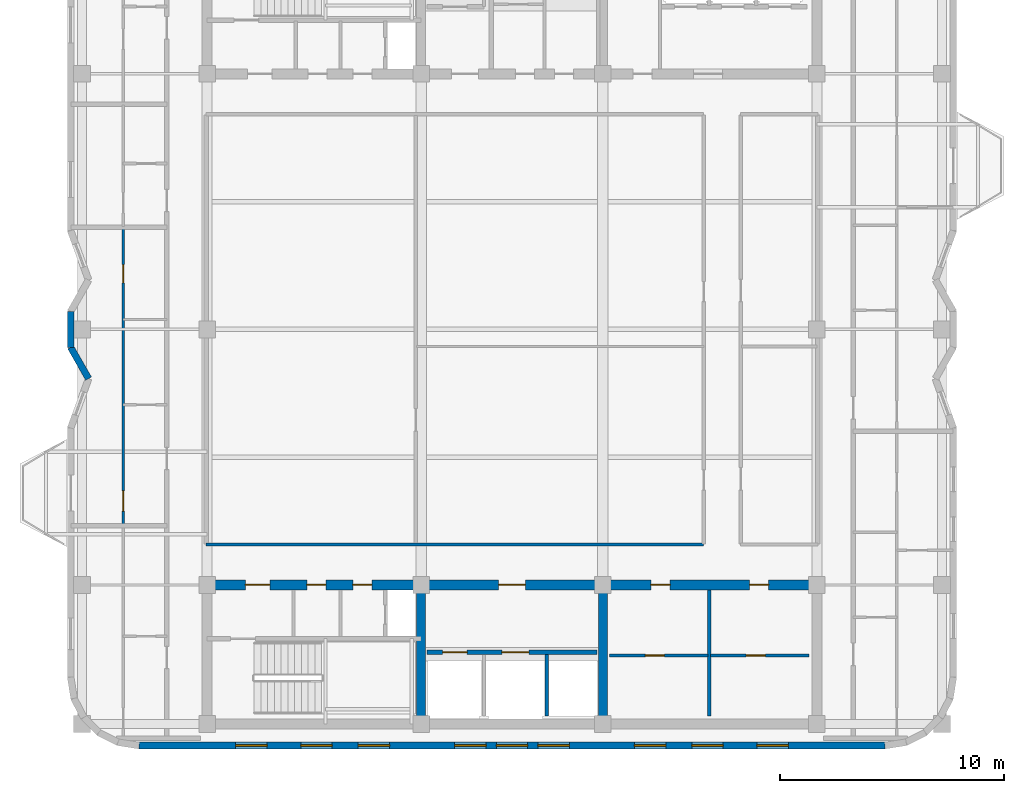
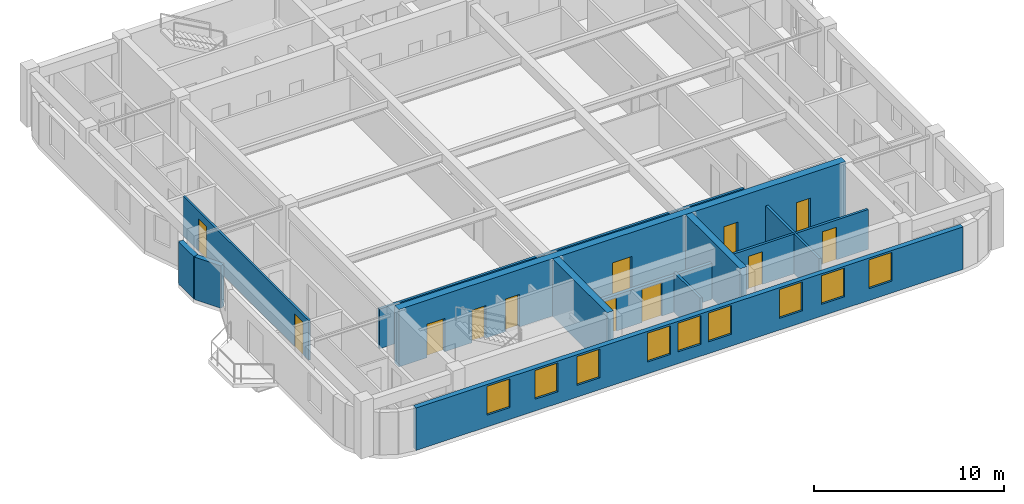
# One storey, part 3 of 9: 13 walls, 12 doors, 9 windows, 21 openings.
"""IFC4 building model written with IfcOpenShell, lengths in metres."""

from ifc_helpers import new_model, si_unit, direction, frame, frame_2d, origin, place, context, subcontext, project, spatial, rectangle, extrude, material, layer, layer_set, type_object, element, fill, save


model = new_model("IFC4")

# Units and contexts
model_context = context("Model", 3, precision=1e-05, world=origin(), true_north=direction((0.0, 1.0)))
body_context = subcontext(model_context, "Body", "Model", "MODEL_VIEW")
ifc_project = project(units=[si_unit("LENGTHUNIT", "METRE"), si_unit("AREAUNIT", "SQUARE_METRE"), si_unit("VOLUMEUNIT", "CUBIC_METRE"), si_unit("PLANEANGLEUNIT", "RADIAN"), si_unit("MASSUNIT", "GRAM", prefix="KILO")], contexts=[model_context])

# Site, building, storey
site_placement = place(None, origin())
site = spatial("IfcSite", under=ifc_project, at=site_placement, CompositionType="ELEMENT")
building_placement = place(site_placement, origin())
building = spatial("IfcBuilding", under=site, at=building_placement, Name="Svetorya Sky Lyceum", CompositionType="ELEMENT")
storey_placement = place(building_placement, frame((0.0, 0.0, 267.60009765625)))
storey = spatial("IfcBuildingStorey", under=building, at=storey_placement, Name="L67", CompositionType="ELEMENT", Elevation=267.60009765625)

# Walls
ifc_material_1 = material(Name="Concrete C40/50", Category="concrete")
ifc_layer_1 = layer(ifc_material_1, 0.39990234375)
ifc_layer_set_1 = layer_set([ifc_layer_1], Name="Concrete C40/50")
wall_type_1 = type_object("IfcWallType", Name="WL-CORE-400", PredefinedType="SHEAR", material=ifc_layer_set_1)
for number, where, z_axis, x_axis, name in (
    (1, (35.14990234375, 10.824951171875, 0.0), (0.0, 0.0, 1.0), (0.0, 1.0, 0.0), "L67 SC Internal Shear Web WEB1"),
    (2, (43.25, 10.824951171875, 0.0), (0.0, 0.0, 1.0), (0.0, 1.0, 0.0), "L67 SC Internal Shear Web WEB2"),
):
    element("IfcWall", number, at=place(storey_placement, frame(where, z_axis=z_axis, x_axis=x_axis)), inside=storey, type_object=wall_type_1, Name=name, PredefinedType="SHEAR", context=body_context, shape_type="SweptSolid", body=[
        extrude(rectangle(XDim=5.75, YDim=0.39990234375, at=frame_2d((2.875, 0.0))), origin(), (0.0, 0.0, 1.0), 3.699951171875),
    ])

# Wall, openings, doors
ifc_material_2 = material(Name="Concrete C50/60", Category="concrete")
ifc_layer_2 = layer(ifc_material_2, 0.449951171875)
ifc_layer_set_2 = layer_set([ifc_layer_2], Name="Concrete C50/60")
wall_type_2 = type_object("IfcWallType", Name="WL-CORE-450", PredefinedType="SHEAR", material=ifc_layer_set_2)
wall_1_placement = place(storey_placement, frame((25.60009765625, 16.800048828125, 0.0), z_axis=(0.0, 0.0, 1.0), x_axis=(1.0, 0.0, 0.0)))
wall_1 = element("IfcWall", 3, at=wall_1_placement, inside=storey, type_object=wall_type_2, Name="L67 SC Inner Core Shear Wall", PredefinedType="SHEAR", context=body_context, shape_type="SweptSolid", body=[
    extrude(rectangle(XDim=27.199951171875, YDim=0.449951171875, at=frame_2d((13.60009765625, 0.0))), origin(), (0.0, 0.0, 1.0), 3.699951171875),
])
opening_1_placement = place(wall_1_placement, frame((1.699951171875, 0.0, 0.0)))
opening_1 = element("IfcOpeningElement", 4, at=opening_1_placement, cuts=wall_1, Name="Opening D-ST1", PredefinedType="OPENING", context=body_context, shape_type="SweptSolid", body=[
    extrude(rectangle(XDim=1.10009765625, YDim=2.14990234375, at=frame_2d((0.550048828125, 1.074951171875))), frame((0.0, 0.23486328125, 0.0), z_axis=(0.0, -1.0, 0.0), x_axis=(1.0, 0.0, 0.0)), (0.0, 0.0, 1.0), 0.469970703125),
])
opening_2_placement = place(wall_1_placement, frame((4.449951171875, 0.0, 0.0)))
opening_2 = element("IfcOpeningElement", 5, at=opening_2_placement, cuts=wall_1, Name="Opening D-CWC1", PredefinedType="OPENING", context=body_context, shape_type="SweptSolid", body=[
    extrude(rectangle(XDim=0.85009765625, YDim=2.10009765625, at=frame_2d((0.425048828125, 1.050048828125))), frame((0.0, 0.23486328125, 0.0), z_axis=(0.0, -1.0, 0.0), x_axis=(1.0, 0.0, 0.0)), (0.0, 0.0, 1.0), 0.469970703125),
])
opening_3_placement = place(wall_1_placement, frame((6.5, 0.0, 0.0)))
opening_3 = element("IfcOpeningElement", 6, at=opening_3_placement, cuts=wall_1, Name="Opening D-CWC1", PredefinedType="OPENING", context=body_context, shape_type="SweptSolid", body=[
    extrude(rectangle(XDim=0.85009765625, YDim=2.10009765625, at=frame_2d((0.425048828125, 1.050048828125))), frame((0.0, 0.23486328125, 0.0), z_axis=(0.0, -1.0, 0.0), x_axis=(1.0, 0.0, 0.0)), (0.0, 0.0, 1.0), 0.469970703125),
])
opening_4_placement = place(wall_1_placement, frame((13.0, 0.0, 0.0)))
opening_4 = element("IfcOpeningElement", 7, at=opening_4_placement, cuts=wall_1, Name="Opening D-FL1", PredefinedType="OPENING", context=body_context, shape_type="SweptSolid", body=[
    extrude(rectangle(XDim=1.199951171875, YDim=2.14990234375, at=frame_2d((0.60009765625, 1.074951171875))), frame((0.0, 0.23486328125, 0.0), z_axis=(0.0, -1.0, 0.0), x_axis=(1.0, 0.0, 0.0)), (0.0, 0.0, 1.0), 0.469970703125),
])
opening_5_placement = place(wall_1_placement, frame((19.800048828125, 0.0, 0.0)))
opening_5 = element("IfcOpeningElement", 8, at=opening_5_placement, cuts=wall_1, Name="Opening D-CWC1", PredefinedType="OPENING", context=body_context, shape_type="SweptSolid", body=[
    extrude(rectangle(XDim=0.85009765625, YDim=2.10009765625, at=frame_2d((0.425048828125, 1.050048828125))), frame((0.0, 0.23486328125, 0.0), z_axis=(0.0, -1.0, 0.0), x_axis=(1.0, 0.0, 0.0)), (0.0, 0.0, 1.0), 0.469970703125),
])
opening_6_placement = place(wall_1_placement, frame((24.199951171875, 0.0, 0.0)))
opening_6 = element("IfcOpeningElement", 9, at=opening_6_placement, cuts=wall_1, Name="Opening D-CWC1", PredefinedType="OPENING", context=body_context, shape_type="SweptSolid", body=[
    extrude(rectangle(XDim=0.85009765625, YDim=2.10009765625, at=frame_2d((0.425048828125, 1.050048828125))), frame((0.0, 0.23486328125, 0.0), z_axis=(0.0, -1.0, 0.0), x_axis=(1.0, 0.0, 0.0)), (0.0, 0.0, 1.0), 0.469970703125),
])
ifc_material_3 = material(Name="Fire-rated galvanized steel core service closet door", Category="steel")
door_type_1 = type_object("IfcDoorType", Name="DR-CWET-850", OperationType="SINGLE_SWING_LEFT", PredefinedType="DOOR", material=ifc_material_3)
door_1_placement = place(opening_2_placement, origin())
door_1 = element("IfcDoor", 10, at=door_1_placement, inside=storey, type_object=door_type_1, Name="L67 South Mop Closet Door", OperationType="SINGLE_SWING_LEFT", OverallHeight=2.10009765625, OverallWidth=0.85009765625, PredefinedType="DOOR", context=body_context, shape_type="SweptSolid", body=[
    extrude(rectangle(XDim=0.85009765625, YDim=2.10009765625, at=frame_2d((0.425048828125, 1.050048828125))), frame((0.0, 0.02490234375, 0.0), z_axis=(0.0, -1.0, 0.0), x_axis=(1.0, 0.0, 0.0)), (0.0, 0.0, 1.0), 0.050048828125),
])
fill(opening_2, door_1)
door_2_placement = place(opening_3_placement, origin())
door_2 = element("IfcDoor", 11, at=door_2_placement, inside=storey, type_object=door_type_1, Name="L67 South West WC Door", OperationType="SINGLE_SWING_RIGHT", OverallHeight=2.10009765625, OverallWidth=0.85009765625, PredefinedType="DOOR", context=body_context, shape_type="SweptSolid", body=[
    extrude(rectangle(XDim=0.85009765625, YDim=2.10009765625, at=frame_2d((0.425048828125, 1.050048828125))), frame((0.0, 0.02490234375, 0.0), z_axis=(0.0, -1.0, 0.0), x_axis=(1.0, 0.0, 0.0)), (0.0, 0.0, 1.0), 0.050048828125),
])
fill(opening_3, door_2)
door_3_placement = place(opening_5_placement, origin())
door_3 = element("IfcDoor", 12, at=door_3_placement, inside=storey, type_object=door_type_1, Name="L67 Housekeeping Door", OperationType="SINGLE_SWING_LEFT", OverallHeight=2.10009765625, OverallWidth=0.85009765625, PredefinedType="DOOR", context=body_context, shape_type="SweptSolid", body=[
    extrude(rectangle(XDim=0.85009765625, YDim=2.10009765625, at=frame_2d((0.425048828125, 1.050048828125))), frame((0.0, 0.02490234375, 0.0), z_axis=(0.0, -1.0, 0.0), x_axis=(1.0, 0.0, 0.0)), (0.0, 0.0, 1.0), 0.050048828125),
])
fill(opening_5, door_3)
door_4_placement = place(opening_6_placement, origin())
door_4 = element("IfcDoor", 13, at=door_4_placement, inside=storey, type_object=door_type_1, Name="L67 South WC Door", OperationType="SINGLE_SWING_RIGHT", OverallHeight=2.10009765625, OverallWidth=0.85009765625, PredefinedType="DOOR", context=body_context, shape_type="SweptSolid", body=[
    extrude(rectangle(XDim=0.85009765625, YDim=2.10009765625, at=frame_2d((0.425048828125, 1.050048828125))), frame((0.0, 0.02490234375, 0.0), z_axis=(0.0, -1.0, 0.0), x_axis=(1.0, 0.0, 0.0)), (0.0, 0.0, 1.0), 0.050048828125),
])
fill(opening_6, door_4)
ifc_material_4 = material(Name="Powder-coated insulated galvanized stair fire door")
door_type_2 = type_object("IfcDoorType", Name="DR-FIRE-1100", OperationType="SINGLE_SWING_LEFT", PredefinedType="DOOR", material=ifc_material_4)
door_5_placement = place(opening_1_placement, origin())
door_5 = element("IfcDoor", 14, at=door_5_placement, inside=storey, type_object=door_type_2, Name="L67 South Stair Airlock Door", OperationType="SINGLE_SWING_RIGHT", OverallHeight=2.14990234375, OverallWidth=1.10009765625, PredefinedType="DOOR", context=body_context, shape_type="SweptSolid", body=[
    extrude(rectangle(XDim=1.10009765625, YDim=2.14990234375, at=frame_2d((0.550048828125, 1.074951171875))), frame((0.0, 0.02490234375, 0.0), z_axis=(0.0, -1.0, 0.0), x_axis=(1.0, 0.0, 0.0)), (0.0, 0.0, 1.0), 0.050048828125),
])
fill(opening_1, door_5)
ifc_material_5 = material(Name="Powder-coated insulated galvanized fire door")
door_type_3 = type_object("IfcDoorType", Name="DR-FIRE-1200", OperationType="SINGLE_SWING_LEFT", PredefinedType="DOOR", material=ifc_material_5)
door_6_placement = place(opening_4_placement, origin())
door_6 = element("IfcDoor", 15, at=door_6_placement, inside=storey, type_object=door_type_3, Name="L67 South Firefighting Lift Lobby Door", OperationType="SINGLE_SWING_LEFT", OverallHeight=2.14990234375, OverallWidth=1.199951171875, PredefinedType="DOOR", context=body_context, shape_type="SweptSolid", body=[
    extrude(rectangle(XDim=1.199951171875, YDim=2.14990234375, at=frame_2d((0.60009765625, 1.074951171875))), frame((0.0, 0.02490234375, 0.0), z_axis=(0.0, -1.0, 0.0), x_axis=(1.0, 0.0, 0.0)), (0.0, 0.0, 1.0), 0.050048828125),
])
fill(opening_4, door_6)

# Wall, openings, windows
ifc_material_6 = material(Name="Putilovo limestone rainscreen on autoclaved cellular masonry", Category="masonry")
ifc_layer_3 = layer(ifc_material_6, 0.300048828125)
ifc_layer_set_3 = layer_set([ifc_layer_3], Name="Putilovo limestone rainscreen on autoclaved cellular masonry")
wall_type_3 = type_object("IfcWallType", Name="WL-EXT-300", PredefinedType="SOLIDWALL", material=ifc_layer_set_3)
wall_2_placement = place(storey_placement, frame((22.56005859375, 9.6298828125, 0.0), z_axis=(0.0, 0.0, 1.0), x_axis=(1.0, 0.0, 0.0)))
wall_2 = element("IfcWall", 16, at=wall_2_placement, inside=storey, type_object=wall_type_3, Name="L67 Limestone Exterior Wall 6M", PredefinedType="SOLIDWALL", context=body_context, shape_type="SweptSolid", body=[
    extrude(rectangle(XDim=33.280029296875, YDim=0.300048828125, at=frame_2d((16.64013671875, 0.0))), origin(), (0.0, 0.0, 1.0), 2.72998046875),
])
opening_7_placement = place(wall_2_placement, frame((4.310791015625, 0.0, 0.760009765625)))
opening_7 = element("IfcOpeningElement", 17, at=opening_7_placement, cuts=wall_2, Name="Opening W-R2", PredefinedType="OPENING", context=body_context, shape_type="SweptSolid", body=[
    extrude(rectangle(XDim=1.39990234375, YDim=1.85009765625, at=frame_2d((0.699951171875, 0.925048828125))), frame((0.0, 0.159912109375, 0.0), z_axis=(0.0, -1.0, 0.0), x_axis=(1.0, 0.0, 0.0)), (0.0, 0.0, 1.0), 0.320068359375),
])
opening_8_placement = place(wall_2_placement, frame((7.21826171875, 0.0, 0.760009765625)))
opening_8 = element("IfcOpeningElement", 18, at=opening_8_placement, cuts=wall_2, Name="Opening W-R2", PredefinedType="OPENING", context=body_context, shape_type="SweptSolid", body=[
    extrude(rectangle(XDim=1.39990234375, YDim=1.85009765625, at=frame_2d((0.699951171875, 0.925048828125))), frame((0.0, 0.159912109375, 0.0), z_axis=(0.0, -1.0, 0.0), x_axis=(1.0, 0.0, 0.0)), (0.0, 0.0, 1.0), 0.320068359375),
])
opening_9_placement = place(wall_2_placement, frame((9.775390625, 0.0, 0.760009765625)))
opening_9 = element("IfcOpeningElement", 19, at=opening_9_placement, cuts=wall_2, Name="Opening W-R2", PredefinedType="OPENING", context=body_context, shape_type="SweptSolid", body=[
    extrude(rectangle(XDim=1.39990234375, YDim=1.85009765625, at=frame_2d((0.699951171875, 0.925048828125))), frame((0.0, 0.159912109375, 0.0), z_axis=(0.0, -1.0, 0.0), x_axis=(1.0, 0.0, 0.0)), (0.0, 0.0, 1.0), 0.320068359375),
])
opening_10_placement = place(wall_2_placement, frame((14.082763671875, 0.0, 0.760009765625)))
opening_10 = element("IfcOpeningElement", 20, at=opening_10_placement, cuts=wall_2, Name="Opening W-R2", PredefinedType="OPENING", context=body_context, shape_type="SweptSolid", body=[
    extrude(rectangle(XDim=1.39990234375, YDim=1.85009765625, at=frame_2d((0.699951171875, 0.925048828125))), frame((0.0, 0.159912109375, 0.0), z_axis=(0.0, -1.0, 0.0), x_axis=(1.0, 0.0, 0.0)), (0.0, 0.0, 1.0), 0.320068359375),
])
opening_11_placement = place(wall_2_placement, frame((15.93994140625, 0.0, 0.760009765625)))
opening_11 = element("IfcOpeningElement", 21, at=opening_11_placement, cuts=wall_2, Name="Opening W-R2", PredefinedType="OPENING", context=body_context, shape_type="SweptSolid", body=[
    extrude(rectangle(XDim=1.39990234375, YDim=1.85009765625, at=frame_2d((0.699951171875, 0.925048828125))), frame((0.0, 0.159912109375, 0.0), z_axis=(0.0, -1.0, 0.0), x_axis=(1.0, 0.0, 0.0)), (0.0, 0.0, 1.0), 0.320068359375),
])
opening_12_placement = place(wall_2_placement, frame((17.79736328125, 0.0, 0.760009765625)))
opening_12 = element("IfcOpeningElement", 22, at=opening_12_placement, cuts=wall_2, Name="Opening W-R2", PredefinedType="OPENING", context=body_context, shape_type="SweptSolid", body=[
    extrude(rectangle(XDim=1.39990234375, YDim=1.85009765625, at=frame_2d((0.699951171875, 0.925048828125))), frame((0.0, 0.159912109375, 0.0), z_axis=(0.0, -1.0, 0.0), x_axis=(1.0, 0.0, 0.0)), (0.0, 0.0, 1.0), 0.320068359375),
])
opening_13_placement = place(wall_2_placement, frame((22.1044921875, 0.0, 0.760009765625)))
opening_13 = element("IfcOpeningElement", 23, at=opening_13_placement, cuts=wall_2, Name="Opening W-R2", PredefinedType="OPENING", context=body_context, shape_type="SweptSolid", body=[
    extrude(rectangle(XDim=1.39990234375, YDim=1.85009765625, at=frame_2d((0.699951171875, 0.925048828125))), frame((0.0, 0.159912109375, 0.0), z_axis=(0.0, -1.0, 0.0), x_axis=(1.0, 0.0, 0.0)), (0.0, 0.0, 1.0), 0.320068359375),
])
opening_14_placement = place(wall_2_placement, frame((24.661865234375, 0.0, 0.760009765625)))
opening_14 = element("IfcOpeningElement", 24, at=opening_14_placement, cuts=wall_2, Name="Opening W-R2", PredefinedType="OPENING", context=body_context, shape_type="SweptSolid", body=[
    extrude(rectangle(XDim=1.39990234375, YDim=1.85009765625, at=frame_2d((0.699951171875, 0.925048828125))), frame((0.0, 0.159912109375, 0.0), z_axis=(0.0, -1.0, 0.0), x_axis=(1.0, 0.0, 0.0)), (0.0, 0.0, 1.0), 0.320068359375),
])
opening_15_placement = place(wall_2_placement, frame((27.569091796875, 0.0, 0.760009765625)))
opening_15 = element("IfcOpeningElement", 25, at=opening_15_placement, cuts=wall_2, Name="Opening W-R2", PredefinedType="OPENING", context=body_context, shape_type="SweptSolid", body=[
    extrude(rectangle(XDim=1.39990234375, YDim=1.85009765625, at=frame_2d((0.699951171875, 0.925048828125))), frame((0.0, 0.159912109375, 0.0), z_axis=(0.0, -1.0, 0.0), x_axis=(1.0, 0.0, 0.0)), (0.0, 0.0, 1.0), 0.320068359375),
])
ifc_material_7 = material(Name="Thermally broken aluminium frame with triple low-E glazing", Category="aluminium")
window_type = type_object("IfcWindowType", Name="WN-RES-140", PartitioningType="SINGLE_PANEL", PredefinedType="WINDOW", material=ifc_material_7)
window_1_placement = place(opening_7_placement, origin())
window_1 = element("IfcWindow", 26, at=window_1_placement, inside=storey, type_object=window_type, Name="L67 Facade Window W-R2.6M.1", OverallHeight=1.85009765625, OverallWidth=1.39990234375, PartitioningType="SINGLE_PANEL", PredefinedType="WINDOW", context=body_context, shape_type="SweptSolid", body=[
    extrude(rectangle(XDim=1.39990234375, YDim=1.85009765625, at=frame_2d((0.699951171875, 0.925048828125))), frame((0.0, 0.030029296875, 0.0), z_axis=(0.0, -1.0, 0.0), x_axis=(1.0, 0.0, 0.0)), (0.0, 0.0, 1.0), 0.06005859375),
])
fill(opening_7, window_1)
window_2_placement = place(opening_8_placement, origin())
window_2 = element("IfcWindow", 27, at=window_2_placement, inside=storey, type_object=window_type, Name="L67 Facade Window W-R2.6M.2", OverallHeight=1.85009765625, OverallWidth=1.39990234375, PartitioningType="SINGLE_PANEL", PredefinedType="WINDOW", context=body_context, shape_type="SweptSolid", body=[
    extrude(rectangle(XDim=1.39990234375, YDim=1.85009765625, at=frame_2d((0.699951171875, 0.925048828125))), frame((0.0, 0.030029296875, 0.0), z_axis=(0.0, -1.0, 0.0), x_axis=(1.0, 0.0, 0.0)), (0.0, 0.0, 1.0), 0.06005859375),
])
fill(opening_8, window_2)
window_3_placement = place(opening_9_placement, origin())
window_3 = element("IfcWindow", 28, at=window_3_placement, inside=storey, type_object=window_type, Name="L67 Facade Window W-R2.6M.3", OverallHeight=1.85009765625, OverallWidth=1.39990234375, PartitioningType="SINGLE_PANEL", PredefinedType="WINDOW", context=body_context, shape_type="SweptSolid", body=[
    extrude(rectangle(XDim=1.39990234375, YDim=1.85009765625, at=frame_2d((0.699951171875, 0.925048828125))), frame((0.0, 0.030029296875, 0.0), z_axis=(0.0, -1.0, 0.0), x_axis=(1.0, 0.0, 0.0)), (0.0, 0.0, 1.0), 0.06005859375),
])
fill(opening_9, window_3)
window_4_placement = place(opening_10_placement, origin())
window_4 = element("IfcWindow", 29, at=window_4_placement, inside=storey, type_object=window_type, Name="L67 Facade Window W-R2.6M.4", OverallHeight=1.85009765625, OverallWidth=1.39990234375, PartitioningType="SINGLE_PANEL", PredefinedType="WINDOW", context=body_context, shape_type="SweptSolid", body=[
    extrude(rectangle(XDim=1.39990234375, YDim=1.85009765625, at=frame_2d((0.699951171875, 0.925048828125))), frame((0.0, 0.030029296875, 0.0), z_axis=(0.0, -1.0, 0.0), x_axis=(1.0, 0.0, 0.0)), (0.0, 0.0, 1.0), 0.06005859375),
])
fill(opening_10, window_4)
window_5_placement = place(opening_11_placement, origin())
window_5 = element("IfcWindow", 30, at=window_5_placement, inside=storey, type_object=window_type, Name="L67 Facade Window W-R2.6M.5", OverallHeight=1.85009765625, OverallWidth=1.39990234375, PartitioningType="SINGLE_PANEL", PredefinedType="WINDOW", context=body_context, shape_type="SweptSolid", body=[
    extrude(rectangle(XDim=1.39990234375, YDim=1.85009765625, at=frame_2d((0.699951171875, 0.925048828125))), frame((0.0, 0.030029296875, 0.0), z_axis=(0.0, -1.0, 0.0), x_axis=(1.0, 0.0, 0.0)), (0.0, 0.0, 1.0), 0.06005859375),
])
fill(opening_11, window_5)
window_6_placement = place(opening_12_placement, origin())
window_6 = element("IfcWindow", 31, at=window_6_placement, inside=storey, type_object=window_type, Name="L67 Facade Window W-R2.6M.6", OverallHeight=1.85009765625, OverallWidth=1.39990234375, PartitioningType="SINGLE_PANEL", PredefinedType="WINDOW", context=body_context, shape_type="SweptSolid", body=[
    extrude(rectangle(XDim=1.39990234375, YDim=1.85009765625, at=frame_2d((0.699951171875, 0.925048828125))), frame((0.0, 0.030029296875, 0.0), z_axis=(0.0, -1.0, 0.0), x_axis=(1.0, 0.0, 0.0)), (0.0, 0.0, 1.0), 0.06005859375),
])
fill(opening_12, window_6)
window_7_placement = place(opening_13_placement, origin())
window_7 = element("IfcWindow", 32, at=window_7_placement, inside=storey, type_object=window_type, Name="L67 Facade Window W-R2.6M.7", OverallHeight=1.85009765625, OverallWidth=1.39990234375, PartitioningType="SINGLE_PANEL", PredefinedType="WINDOW", context=body_context, shape_type="SweptSolid", body=[
    extrude(rectangle(XDim=1.39990234375, YDim=1.85009765625, at=frame_2d((0.699951171875, 0.925048828125))), frame((0.0, 0.030029296875, 0.0), z_axis=(0.0, -1.0, 0.0), x_axis=(1.0, 0.0, 0.0)), (0.0, 0.0, 1.0), 0.06005859375),
])
fill(opening_13, window_7)
window_8_placement = place(opening_14_placement, origin())
window_8 = element("IfcWindow", 33, at=window_8_placement, inside=storey, type_object=window_type, Name="L67 Facade Window W-R2.6M.8", OverallHeight=1.85009765625, OverallWidth=1.39990234375, PartitioningType="SINGLE_PANEL", PredefinedType="WINDOW", context=body_context, shape_type="SweptSolid", body=[
    extrude(rectangle(XDim=1.39990234375, YDim=1.85009765625, at=frame_2d((0.699951171875, 0.925048828125))), frame((0.0, 0.030029296875, 0.0), z_axis=(0.0, -1.0, 0.0), x_axis=(1.0, 0.0, 0.0)), (0.0, 0.0, 1.0), 0.06005859375),
])
fill(opening_14, window_8)
window_9_placement = place(opening_15_placement, origin())
window_9 = element("IfcWindow", 34, at=window_9_placement, inside=storey, type_object=window_type, Name="L67 Facade Window W-R2.6M.9", OverallHeight=1.85009765625, OverallWidth=1.39990234375, PartitioningType="SINGLE_PANEL", PredefinedType="WINDOW", context=body_context, shape_type="SweptSolid", body=[
    extrude(rectangle(XDim=1.39990234375, YDim=1.85009765625, at=frame_2d((0.699951171875, 0.925048828125))), frame((0.0, 0.030029296875, 0.0), z_axis=(0.0, -1.0, 0.0), x_axis=(1.0, 0.0, 0.0)), (0.0, 0.0, 1.0), 0.06005859375),
])
fill(opening_15, window_9)

# Walls
wall_3_placement = place(storey_placement, frame((19.510009765625, 29.0, 0.0), z_axis=(0.0, 0.0, 1.0), x_axis=(0.0, -1.0, 0.0)))
element("IfcWall", 35, at=wall_3_placement, inside=storey, type_object=wall_type_3, Name="L67 Limestone Exterior Wall 33M", PredefinedType="SOLIDWALL", context=body_context, shape_type="SweptSolid", body=[
    extrude(rectangle(XDim=1.60009765625, YDim=0.300048828125, at=frame_2d((0.800048828125, 0.0))), origin(), (0.0, 0.0, 1.0), 2.72998046875),
])
wall_4_placement = place(storey_placement, frame((19.510009765625, 27.39990234375, 0.0), z_axis=(0.0, 0.0, 1.0), x_axis=(0.496187856351, -0.868215187157, 0.0)))
element("IfcWall", 36, at=wall_4_placement, inside=storey, type_object=wall_type_3, Name="L67 Limestone Exterior Wall 34M", PredefinedType="SOLIDWALL", context=body_context, shape_type="SweptSolid", body=[
    extrude(rectangle(XDim=1.6123046875, YDim=0.300048828125, at=frame_2d((0.80615234375, 0.0))), origin(), (0.0, 0.0, 1.0), 2.72998046875),
])

# Wall, openings, doors
ifc_material_8 = material(Name="Twin-stud galvanized framing with double fireboard", Category="gypsum")
ifc_layer_4 = layer(ifc_material_8, 0.1201171875)
ifc_layer_set_4 = layer_set([ifc_layer_4], Name="Twin-stud galvanized framing with double fireboard")
wall_type_4 = type_object("IfcWallType", Name="WL-PART-120", PredefinedType="PARTITIONING", material=ifc_layer_set_4)
wall_5_placement = place(storey_placement, frame((21.85009765625, 19.47998046875, 0.0), z_axis=(0.0, 0.0, 1.0), x_axis=(0.0, 1.0, 0.0)))
wall_5 = element("IfcWall", 37, at=wall_5_placement, inside=storey, type_object=wall_type_4, Name="L67 Interior Partition W2-WV", PredefinedType="PARTITIONING", context=body_context, shape_type="SweptSolid", body=[
    extrude(rectangle(XDim=13.22998046875, YDim=0.1201171875, at=frame_2d((6.614990234375, 0.0))), origin(), (0.0, 0.0, 1.0), 2.559814453125),
])
opening_16_placement = place(wall_5_placement, frame((0.610107421875, 0.0, 0.0)))
opening_16 = element("IfcOpeningElement", 38, at=opening_16_placement, cuts=wall_5, Name="Opening D-RM1", PredefinedType="OPENING", context=body_context, shape_type="SweptSolid", body=[
    extrude(rectangle(XDim=0.89990234375, YDim=2.10009765625, at=frame_2d((0.449951171875, 1.050048828125))), frame((0.0, 0.070068359375, 0.0), z_axis=(0.0, -1.0, 0.0), x_axis=(1.0, 0.0, 0.0)), (0.0, 0.0, 1.0), 0.14013671875),
])
opening_17_placement = place(wall_5_placement, frame((10.7900390625, 0.0, 0.0)))
opening_17 = element("IfcOpeningElement", 39, at=opening_17_placement, cuts=wall_5, Name="Opening D-BT2", PredefinedType="OPENING", context=body_context, shape_type="SweptSolid", body=[
    extrude(rectangle(XDim=0.820068359375, YDim=2.080078125, at=frame_2d((0.41015625, 1.0400390625))), frame((0.0, 0.070068359375, 0.0), z_axis=(0.0, -1.0, 0.0), x_axis=(1.0, 0.0, 0.0)), (0.0, 0.0, 1.0), 0.14013671875),
])
ifc_material_9 = material(Name="Lacquered birch veneer internal door")
door_type_4 = type_object("IfcDoorType", Name="DR-INT-900", OperationType="SINGLE_SWING_LEFT", PredefinedType="DOOR", material=ifc_material_9)
door_7_placement = place(opening_16_placement, origin())
door_7 = element("IfcDoor", 40, at=door_7_placement, inside=storey, type_object=door_type_4, Name="Apartment W2 Living Door", OperationType="SINGLE_SWING_LEFT", OverallHeight=2.10009765625, OverallWidth=0.89990234375, PredefinedType="DOOR", context=body_context, shape_type="SweptSolid", body=[
    extrude(rectangle(XDim=0.89990234375, YDim=2.10009765625, at=frame_2d((0.449951171875, 1.050048828125))), frame((0.0, 0.02490234375, 0.0), z_axis=(0.0, -1.0, 0.0), x_axis=(1.0, 0.0, 0.0)), (0.0, 0.0, 1.0), 0.050048828125),
])
fill(opening_16, door_7)
ifc_material_10 = material(Name="Compact moisture-resistant laminate closet door")
door_type_5 = type_object("IfcDoorType", Name="DR-WET-820", OperationType="SINGLE_SWING_LEFT", PredefinedType="DOOR", material=ifc_material_10)
door_8_placement = place(opening_17_placement, origin())
door_8 = element("IfcDoor", 41, at=door_8_placement, inside=storey, type_object=door_type_5, Name="Apartment W2 Study Door", OperationType="SINGLE_SWING_RIGHT", OverallHeight=2.080078125, OverallWidth=0.820068359375, PredefinedType="DOOR", context=body_context, shape_type="SweptSolid", body=[
    extrude(rectangle(XDim=0.820068359375, YDim=2.080078125, at=frame_2d((0.41015625, 1.0400390625))), frame((0.0, 0.02490234375, 0.0), z_axis=(0.0, -1.0, 0.0), x_axis=(1.0, 0.0, 0.0)), (0.0, 0.0, 1.0), 0.050048828125),
])
fill(opening_17, door_8)

# Walls
ifc_material_11 = material(Name="Autoclaved cellular masonry blockwork with acoustic render", Category="masonry")
ifc_layer_5 = layer(ifc_material_11, 0.14990234375)
ifc_layer_set_5 = layer_set([ifc_layer_5], Name="Autoclaved cellular masonry blockwork with acoustic render")
wall_type_5 = type_object("IfcWallType", Name="WL-PART-150", PredefinedType="PARTITIONING", material=ifc_layer_set_5)
wall_6_placement = place(storey_placement, frame((40.75, 10.949951171875, 0.0), z_axis=(0.0, 0.0, 1.0), x_axis=(0.0, 1.0, 0.0)))
element("IfcWall", 42, at=wall_6_placement, inside=storey, type_object=wall_type_5, Name="L67 Interior Partition SC-SHD2", PredefinedType="PARTITIONING", context=body_context, shape_type="SweptSolid", body=[
    extrude(rectangle(XDim=2.75, YDim=0.14990234375, at=frame_2d((1.375, 0.0))), origin(), (0.0, 0.0, 1.0), 2.559814453125),
])
wall_7_placement = place(storey_placement, frame((48.0, 10.949951171875, 0.0), z_axis=(0.0, 0.0, 1.0), x_axis=(0.0, 1.0, 0.0)))
element("IfcWall", 43, at=wall_7_placement, inside=storey, type_object=wall_type_5, Name="L67 Interior Partition SC-LV7-V", PredefinedType="PARTITIONING", context=body_context, shape_type="SweptSolid", body=[
    extrude(rectangle(XDim=5.630126953125, YDim=0.14990234375, at=frame_2d((2.81494140625, 0.0))), origin(), (0.0, 0.0, 1.0), 2.559814453125),
])

# Wall, opening, door
wall_8_placement = place(storey_placement, frame((43.550048828125, 13.64990234375, 0.0), z_axis=(0.0, 0.0, 1.0), x_axis=(1.0, 0.0, 0.0)))
wall_8 = element("IfcWall", 44, at=wall_8_placement, inside=storey, type_object=wall_type_5, Name="L67 Interior Partition SC-LV7-HW", PredefinedType="PARTITIONING", context=body_context, shape_type="SweptSolid", body=[
    extrude(rectangle(XDim=4.39990234375, YDim=0.14990234375, at=frame_2d((2.199951171875, 0.0))), origin(), (0.0, 0.0, 1.0), 2.559814453125),
])
opening_18_placement = place(wall_8_placement, frame((1.60009765625, 0.0, 0.0)))
opening_18 = element("IfcOpeningElement", 45, at=opening_18_placement, cuts=wall_8, Name="Opening D-CWC1", PredefinedType="OPENING", context=body_context, shape_type="SweptSolid", body=[
    extrude(rectangle(XDim=0.85009765625, YDim=2.10009765625, at=frame_2d((0.425048828125, 1.050048828125))), frame((0.0, 0.0849609375, 0.0), z_axis=(0.0, -1.0, 0.0), x_axis=(1.0, 0.0, 0.0)), (0.0, 0.0, 1.0), 0.169921875),
])
door_9_placement = place(opening_18_placement, origin())
door_9 = element("IfcDoor", 46, at=door_9_placement, inside=storey, type_object=door_type_1, Name="L67 South Electrical Room Door", OperationType="SINGLE_SWING_LEFT", OverallHeight=2.10009765625, OverallWidth=0.85009765625, PredefinedType="DOOR", context=body_context, shape_type="SweptSolid", body=[
    extrude(rectangle(XDim=0.85009765625, YDim=2.10009765625, at=frame_2d((0.425048828125, 1.050048828125))), frame((0.0, 0.02490234375, 0.0), z_axis=(0.0, -1.0, 0.0), x_axis=(1.0, 0.0, 0.0)), (0.0, 0.0, 1.0), 0.050048828125),
])
fill(opening_18, door_9)

wall_9_placement = place(storey_placement, frame((48.050048828125, 13.64990234375, 0.0), z_axis=(0.0, 0.0, 1.0), x_axis=(1.0, 0.0, 0.0)))
wall_9 = element("IfcWall", 47, at=wall_9_placement, inside=storey, type_object=wall_type_5, Name="L67 Interior Partition SC-LV7-HE", PredefinedType="PARTITIONING", context=body_context, shape_type="SweptSolid", body=[
    extrude(rectangle(XDim=4.39990234375, YDim=0.14990234375, at=frame_2d((2.199951171875, 0.0))), origin(), (0.0, 0.0, 1.0), 2.559814453125),
])
opening_19_placement = place(wall_9_placement, frame((1.60009765625, 0.0, 0.0)))
opening_19 = element("IfcOpeningElement", 48, at=opening_19_placement, cuts=wall_9, Name="Opening D-CWC1", PredefinedType="OPENING", context=body_context, shape_type="SweptSolid", body=[
    extrude(rectangle(XDim=0.85009765625, YDim=2.10009765625, at=frame_2d((0.425048828125, 1.050048828125))), frame((0.0, 0.0849609375, 0.0), z_axis=(0.0, -1.0, 0.0), x_axis=(1.0, 0.0, 0.0)), (0.0, 0.0, 1.0), 0.169921875),
])
door_10_placement = place(opening_19_placement, origin())
door_10 = element("IfcDoor", 49, at=door_10_placement, inside=storey, type_object=door_type_1, Name="L67 South Server Closet Door", OperationType="SINGLE_SWING_RIGHT", OverallHeight=2.10009765625, OverallWidth=0.85009765625, PredefinedType="DOOR", context=body_context, shape_type="SweptSolid", body=[
    extrude(rectangle(XDim=0.85009765625, YDim=2.10009765625, at=frame_2d((0.425048828125, 1.050048828125))), frame((0.0, 0.02490234375, 0.0), z_axis=(0.0, -1.0, 0.0), x_axis=(1.0, 0.0, 0.0)), (0.0, 0.0, 1.0), 0.050048828125),
])
fill(opening_19, door_10)

# Wall
wall_10_placement = place(storey_placement, frame((25.550048828125, 18.60009765625, 0.0), z_axis=(0.0, 0.0, 1.0), x_axis=(1.0, 0.0, 0.0)))
element("IfcWall", 50, at=wall_10_placement, inside=storey, type_object=wall_type_5, Name="L67 Interior Partition OFF-CS-W", PredefinedType="PARTITIONING", context=body_context, shape_type="SweptSolid", body=[
    extrude(rectangle(XDim=22.199951171875, YDim=0.14990234375, at=frame_2d((11.10009765625, 0.0))), origin(), (0.0, 0.0, 1.0), 2.559814453125),
])

# Wall, openings, doors
ifc_material_12 = material(Name="Autoclaved cellular masonry blockwork with gypsum plaster", Category="masonry")
ifc_layer_6 = layer(ifc_material_12, 0.199951171875)
ifc_layer_set_6 = layer_set([ifc_layer_6], Name="Autoclaved cellular masonry blockwork with gypsum plaster")
wall_type_6 = type_object("IfcWallType", Name="WL-PART-200", PredefinedType="PARTITIONING", material=ifc_layer_set_6)
wall_11_placement = place(storey_placement, frame((35.39990234375, 13.800048828125, 0.0), z_axis=(0.0, 0.0, 1.0), x_axis=(1.0, 0.0, 0.0)))
wall_11 = element("IfcWall", 51, at=wall_11_placement, inside=storey, type_object=wall_type_6, Name="L67 Interior Partition SC-FLW", PredefinedType="PARTITIONING", context=body_context, shape_type="SweptSolid", body=[
    extrude(rectangle(XDim=7.60009765625, YDim=0.199951171875, at=frame_2d((3.800048828125, 0.0))), origin(), (0.0, 0.0, 1.0), 2.329833984375),
])
opening_20_placement = place(wall_11_placement, frame((0.699951171875, 0.0, 0.0)))
opening_20 = element("IfcOpeningElement", 52, at=opening_20_placement, cuts=wall_11, Name="Opening LD-FL", PredefinedType="OPENING", context=body_context, shape_type="SweptSolid", body=[
    extrude(rectangle(XDim=1.10009765625, YDim=2.14990234375, at=frame_2d((0.550048828125, 1.074951171875))), frame((0.0, 0.10986328125, 0.0), z_axis=(0.0, -1.0, 0.0), x_axis=(1.0, 0.0, 0.0)), (0.0, 0.0, 1.0), 0.219970703125),
])
opening_21_placement = place(wall_11_placement, frame((3.35009765625, 0.0, 0.0)))
opening_21 = element("IfcOpeningElement", 53, at=opening_21_placement, cuts=wall_11, Name="Opening LD-SV", PredefinedType="OPENING", context=body_context, shape_type="SweptSolid", body=[
    extrude(rectangle(XDim=1.199951171875, YDim=2.14990234375, at=frame_2d((0.60009765625, 1.074951171875))), frame((0.0, 0.10986328125, 0.0), z_axis=(0.0, -1.0, 0.0), x_axis=(1.0, 0.0, 0.0)), (0.0, 0.0, 1.0), 0.219970703125),
])
ifc_material_13 = material(Name="Fire-rated stainless AISI 304 firefighting lift landing door")
door_type_6 = type_object("IfcDoorType", Name="DR-LIFT-1100", OperationType="SLIDING_TO_LEFT", PredefinedType="DOOR", material=ifc_material_13)
door_11_placement = place(opening_20_placement, origin())
door_11 = element("IfcDoor", 54, at=door_11_placement, inside=storey, type_object=door_type_6, Name="L67 Firefighting Lift FL2 Landing Door", OperationType="SLIDING_TO_LEFT", OverallHeight=2.14990234375, OverallWidth=1.10009765625, PredefinedType="DOOR", context=body_context, shape_type="SweptSolid", body=[
    extrude(rectangle(XDim=1.10009765625, YDim=2.14990234375, at=frame_2d((0.550048828125, 1.074951171875))), frame((0.0, 0.02490234375, 0.0), z_axis=(0.0, -1.0, 0.0), x_axis=(1.0, 0.0, 0.0)), (0.0, 0.0, 1.0), 0.050048828125),
])
fill(opening_20, door_11)
ifc_material_14 = material(Name="Brushed stainless AISI 304 telescopic lift landing door")
door_type_7 = type_object("IfcDoorType", Name="DR-LIFT-1200", OperationType="SLIDING_TO_LEFT", PredefinedType="DOOR", material=ifc_material_14)
door_12_placement = place(opening_21_placement, origin())
door_12 = element("IfcDoor", 55, at=door_12_placement, inside=storey, type_object=door_type_7, Name="L67 Service Lift SVL1 Landing Door", OperationType="SLIDING_TO_LEFT", OverallHeight=2.14990234375, OverallWidth=1.199951171875, PredefinedType="DOOR", context=body_context, shape_type="SweptSolid", body=[
    extrude(rectangle(XDim=1.199951171875, YDim=2.14990234375, at=frame_2d((0.60009765625, 1.074951171875))), frame((0.0, 0.02490234375, 0.0), z_axis=(0.0, -1.0, 0.0), x_axis=(1.0, 0.0, 0.0)), (0.0, 0.0, 1.0), 0.050048828125),
])
fill(opening_21, door_12)

save(model, "model.ifc")
